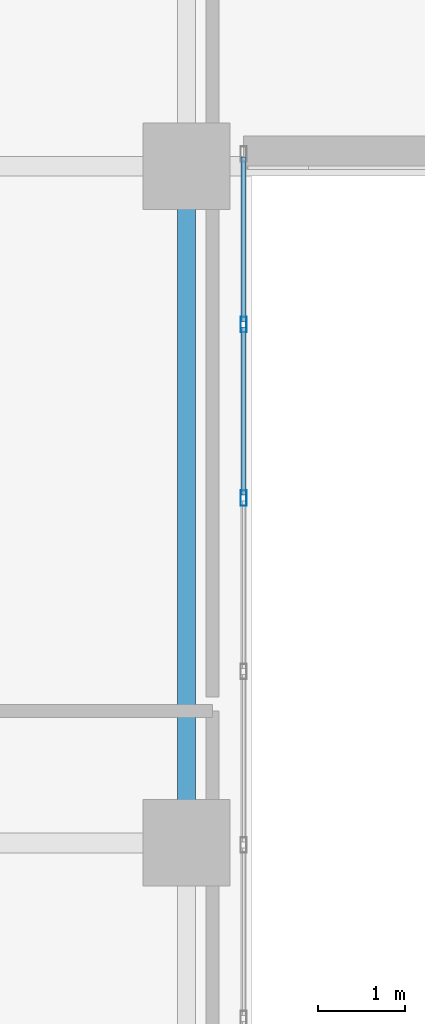
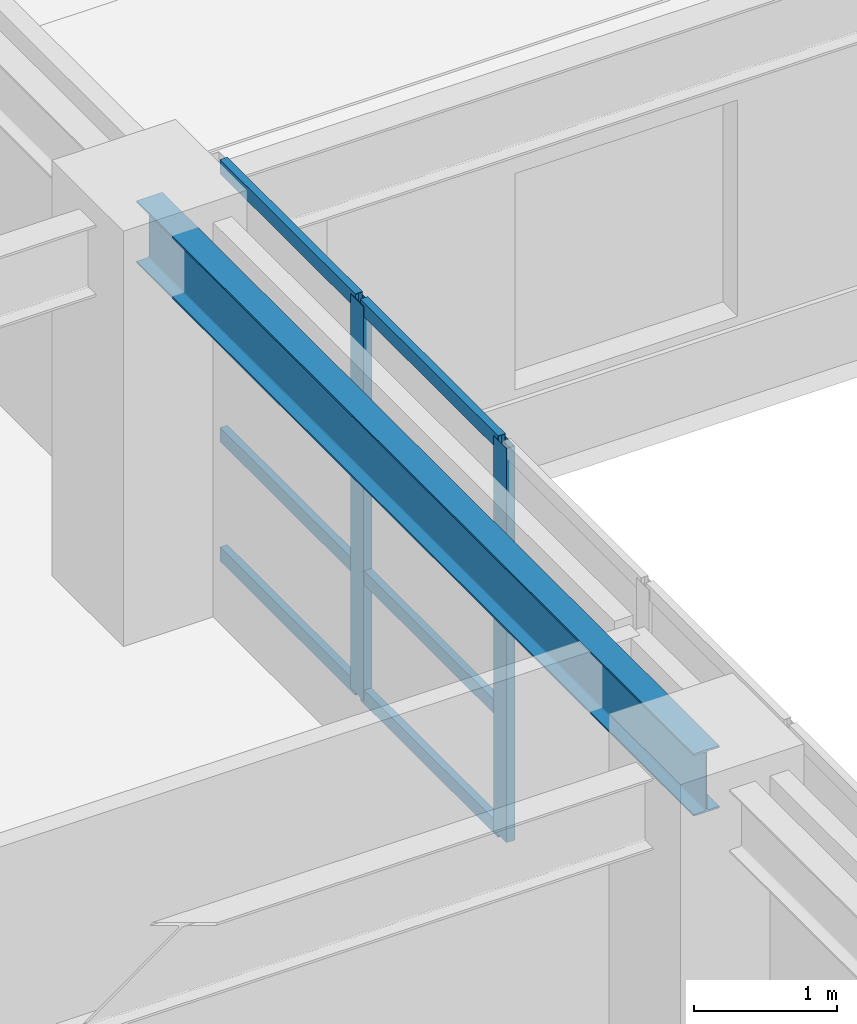
# One storey, part 3 of 25: 8 members, 1 beam, 1 element without a shape of its own.
"""IFC4 building model written with IfcOpenShell, lengths in metres."""

from ifc_helpers import new_model, si_unit, direction, frame, origin, origin_2d, place, context, subcontext, project, spatial, hollow_rectangle, i_section, extrude, source, transform, mapped, material, layer, layer_set, material_profile, profile_set, type_object, type_shapes, element, aggregate, save


model = new_model("IFC4")

# Units and contexts
model_context = context("Model", 3, precision=1e-05, world=origin(), true_north=direction((0.0, 1.0)))
body_context = subcontext(model_context, "Body", "Model", "MODEL_VIEW")
ifc_project = project(units=[si_unit("LENGTHUNIT", "METRE"), si_unit("AREAUNIT", "SQUARE_METRE"), si_unit("VOLUMEUNIT", "CUBIC_METRE"), si_unit("PLANEANGLEUNIT", "RADIAN"), si_unit("MASSUNIT", "GRAM", prefix="KILO")], contexts=[model_context])

# Site, building, storey
site_placement = place(None, origin())
site = spatial("IfcSite", under=ifc_project, at=site_placement, CompositionType="ELEMENT")
building_placement = place(site_placement, origin())
building = spatial("IfcBuilding", under=site, at=building_placement, Name="Tolvann Quenvar Hotel", CompositionType="ELEMENT")
storey_placement = place(building_placement, frame((0.0, 0.0, 60.39990234375)))
storey = spatial("IfcBuildingStorey", under=building, at=storey_placement, Name="L14", CompositionType="ELEMENT", Elevation=60.39990234375)

# Beam
ifc_material_1 = material(Name="Steel Grade 350", Category="steel")
ifc_material_profile_1 = material_profile(ifc_material_1, i_section(OverallWidth=0.208984375, OverallDepth=0.532958984375, WebThickness=0.01025390625, FlangeThickness=0.015625, FilletRadius=0.013916015625, at=origin_2d()), Name="530UB92")
ifc_profile_set_1 = profile_set([ifc_material_profile_1], Name="Steel Grade 350")
beam_type = type_object("IfcBeamType", Name="BM_GIRD_530UB92", PredefinedType="BEAM", material=ifc_profile_set_1)
shared_shape_1 = source(origin(), body_context, "Body", "SweptSolid", [
    extrude(i_section(OverallWidth=0.208984375, OverallDepth=0.532958984375, WebThickness=0.01025390625, FlangeThickness=0.015625, FilletRadius=0.013916015625, at=origin_2d()), origin(), (0.0, 0.0, 1.0), 7.800048828125),
])
type_shapes(beam_type, [shared_shape_1])
beam_placement = place(storey_placement, frame((22.050048828125, 8.199951171875, 3.103515625), z_axis=(0.0, 1.0, 0.0), x_axis=(-1.0, 0.0, 0.0)))
element("IfcBeam", 1, at=beam_placement, inside=storey, type_object=beam_type, Name="BM-L14-NS-E3-E4", PredefinedType="BEAM", context=body_context, shape_type="MappedRepresentation", body=[
    mapped(shared_shape_1, transform((0.0, 0.0, 0.0), x_axis=(1.0, 0.0, 0.0), y_axis=(0.0, 1.0, 0.0), z_axis=(0.0, 0.0, 1.0), scale=1.0)),
])

# Curtain wall, members
ifc_material_2 = material(Name="Thermally broken anodised architectural aluminium 6063-T6 and laminated low-E glass", Category="aluminium")
ifc_layer = layer(ifc_material_2, 0.179931640625)
ifc_layer_set = layer_set([ifc_layer], Name="Thermally broken anodised architectural aluminium 6063-T6 and laminated low-E glass")
curtain_wall_type = type_object("IfcCurtainWallType", Name="CW_SYS_SLOT_03", PredefinedType="USERDEFINED", material=ifc_layer_set)
curtain_wall_placement = place(storey_placement, origin())
curtain_wall = element("IfcCurtainWall", 2, at=curtain_wall_placement, inside=storey, type_object=curtain_wall_type, Name="Curtain Wall CW-SLOT-03 (CWR-L14-E05)", ObjectType="UNITISED CURTAIN WALL", PredefinedType="USERDEFINED")
ifc_material_3 = material(Name="Anodised architectural aluminium 6063-T6 framing", Category="aluminium")
ifc_material_profile_2 = material_profile(ifc_material_3, hollow_rectangle(XDim=0.070068359375, YDim=0.179931640625, WallThickness=0.00390625, at=origin_2d()), Name="180x70x4RHS")
ifc_profile_set_2 = profile_set([ifc_material_profile_2], Name="Anodised architectural aluminium 6063-T6 framing")
member_type_1 = type_object("IfcMemberType", Name="CW_MULL_180x70", PredefinedType="MULLION", material=ifc_profile_set_2)
shared_shape_2 = source(origin(), body_context, "Body", "SweptSolid", [
    extrude(hollow_rectangle(XDim=0.070068359375, YDim=0.179931640625, WallThickness=0.00390625, at=origin_2d()), origin(), (0.0, 0.0, 1.0), 3.3701171875),
])
type_shapes(member_type_1, [shared_shape_2])
member_1_placement = place(storey_placement, frame((22.7099609375, 12.175048828125, 0.0), z_axis=(0.0, 0.0, 1.0), x_axis=(-1.0, 0.0, 0.0)))
member_1 = element("IfcMember", 3, at=member_1_placement, type_object=member_type_1, Name="CW-SLOT-03 mullion 7", PredefinedType="MULLION", context=body_context, shape_type="MappedRepresentation", body=[
    mapped(shared_shape_2, transform((0.0, 0.0, 0.0), x_axis=(1.0, 0.0, 0.0), y_axis=(0.0, 1.0, 0.0), z_axis=(0.0, 0.0, 1.0), scale=1.0)),
])
member_2_placement = place(storey_placement, frame((22.7099609375, 14.175048828125, 0.0), z_axis=(0.0, 0.0, 1.0), x_axis=(-1.0, 0.0, 0.0)))
member_2 = element("IfcMember", 4, at=member_2_placement, type_object=member_type_1, Name="CW-SLOT-03 mullion 8", PredefinedType="MULLION", context=body_context, shape_type="MappedRepresentation", body=[
    mapped(shared_shape_2, transform((0.0, 0.0, 0.0), x_axis=(1.0, 0.0, 0.0), y_axis=(0.0, 1.0, 0.0), z_axis=(0.0, 0.0, 1.0), scale=1.0)),
])
ifc_material_profile_3 = material_profile(ifc_material_3, hollow_rectangle(XDim=0.06005859375, YDim=0.1201171875, WallThickness=0.00341796875, at=origin_2d()), Name="120x60x3.5RHS")
ifc_profile_set_3 = profile_set([ifc_material_profile_3], Name="Anodised architectural aluminium 6063-T6 framing")
member_type_2 = type_object("IfcMemberType", Name="CW_TRAN_120x60", PredefinedType="USERDEFINED", material=ifc_profile_set_3)
shared_shape_3 = source(origin(), body_context, "Body", "SweptSolid", [
    extrude(hollow_rectangle(XDim=0.06005859375, YDim=0.1201171875, WallThickness=0.00341796875, at=origin_2d()), origin(), (0.0, 0.0, 1.0), 1.929931640625),
])
member_3_placement = place(storey_placement, frame((22.7099609375, 12.2099609375, 0.030029296875), z_axis=(0.0, 1.0, 0.0), x_axis=(-1.0, 0.0, 0.0)))
member_3 = element("IfcMember", 5, at=member_3_placement, type_object=member_type_2, Name="CW-SLOT-03 transom 7.1", ObjectType="TRANSOM", PredefinedType="USERDEFINED", context=body_context, shape_type="MappedRepresentation", body=[
    mapped(shared_shape_3, transform((0.0, 0.0, 0.0), x_axis=(1.0, 0.0, 0.0), y_axis=(0.0, 1.0, 0.0), z_axis=(0.0, 0.0, 1.0), scale=1.0)),
])
member_4_placement = place(storey_placement, frame((22.7099609375, 12.2099609375, 1.050048828125), z_axis=(0.0, 1.0, 0.0), x_axis=(-1.0, 0.0, 0.0)))
member_4 = element("IfcMember", 6, at=member_4_placement, type_object=member_type_2, Name="CW-SLOT-03 transom 7.2", ObjectType="TRANSOM", PredefinedType="USERDEFINED", context=body_context, shape_type="MappedRepresentation", body=[
    mapped(shared_shape_3, transform((0.0, 0.0, 0.0), x_axis=(1.0, 0.0, 0.0), y_axis=(0.0, 1.0, 0.0), z_axis=(0.0, 0.0, 1.0), scale=1.0)),
])
member_5_placement = place(storey_placement, frame((22.7099609375, 12.2099609375, 3.340087890625), z_axis=(0.0, 1.0, 0.0), x_axis=(-1.0, 0.0, 0.0)))
member_5 = element("IfcMember", 7, at=member_5_placement, type_object=member_type_2, Name="CW-SLOT-03 transom 7.3", ObjectType="TRANSOM", PredefinedType="USERDEFINED", context=body_context, shape_type="MappedRepresentation", body=[
    mapped(shared_shape_3, transform((0.0, 0.0, 0.0), x_axis=(1.0, 0.0, 0.0), y_axis=(0.0, 1.0, 0.0), z_axis=(0.0, 0.0, 1.0), scale=1.0)),
])
shared_shape_4 = source(origin(), body_context, "Body", "SweptSolid", [
    extrude(hollow_rectangle(XDim=0.06005859375, YDim=0.1201171875, WallThickness=0.00341796875, at=origin_2d()), origin(), (0.0, 0.0, 1.0), 1.89501953125),
])
type_shapes(member_type_2, [shared_shape_3, shared_shape_4])
member_6_placement = place(storey_placement, frame((22.7099609375, 14.2099609375, 0.030029296875), z_axis=(0.0, 1.0, 0.0), x_axis=(-1.0, 0.0, 0.0)))
member_6 = element("IfcMember", 8, at=member_6_placement, type_object=member_type_2, Name="CW-SLOT-03 transom 8.1", ObjectType="TRANSOM", PredefinedType="USERDEFINED", context=body_context, shape_type="MappedRepresentation", body=[
    mapped(shared_shape_4, transform((0.0, 0.0, 0.0), x_axis=(1.0, 0.0, 0.0), y_axis=(0.0, 1.0, 0.0), z_axis=(0.0, 0.0, 1.0), scale=1.0)),
])
member_7_placement = place(storey_placement, frame((22.7099609375, 14.2099609375, 1.050048828125), z_axis=(0.0, 1.0, 0.0), x_axis=(-1.0, 0.0, 0.0)))
member_7 = element("IfcMember", 9, at=member_7_placement, type_object=member_type_2, Name="CW-SLOT-03 transom 8.2", ObjectType="TRANSOM", PredefinedType="USERDEFINED", context=body_context, shape_type="MappedRepresentation", body=[
    mapped(shared_shape_4, transform((0.0, 0.0, 0.0), x_axis=(1.0, 0.0, 0.0), y_axis=(0.0, 1.0, 0.0), z_axis=(0.0, 0.0, 1.0), scale=1.0)),
])
member_8_placement = place(storey_placement, frame((22.7099609375, 14.2099609375, 3.340087890625), z_axis=(0.0, 1.0, 0.0), x_axis=(-1.0, 0.0, 0.0)))
member_8 = element("IfcMember", 10, at=member_8_placement, type_object=member_type_2, Name="CW-SLOT-03 transom 8.3", ObjectType="TRANSOM", PredefinedType="USERDEFINED", context=body_context, shape_type="MappedRepresentation", body=[
    mapped(shared_shape_4, transform((0.0, 0.0, 0.0), x_axis=(1.0, 0.0, 0.0), y_axis=(0.0, 1.0, 0.0), z_axis=(0.0, 0.0, 1.0), scale=1.0)),
])
aggregate(curtain_wall, [member_1, member_2, member_3, member_4, member_5, member_6, member_7, member_8])

save(model, "model.ifc")
